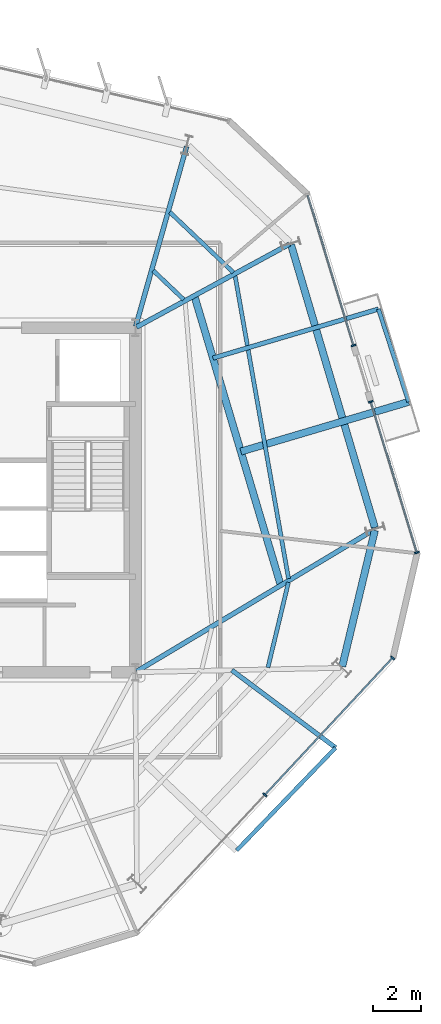
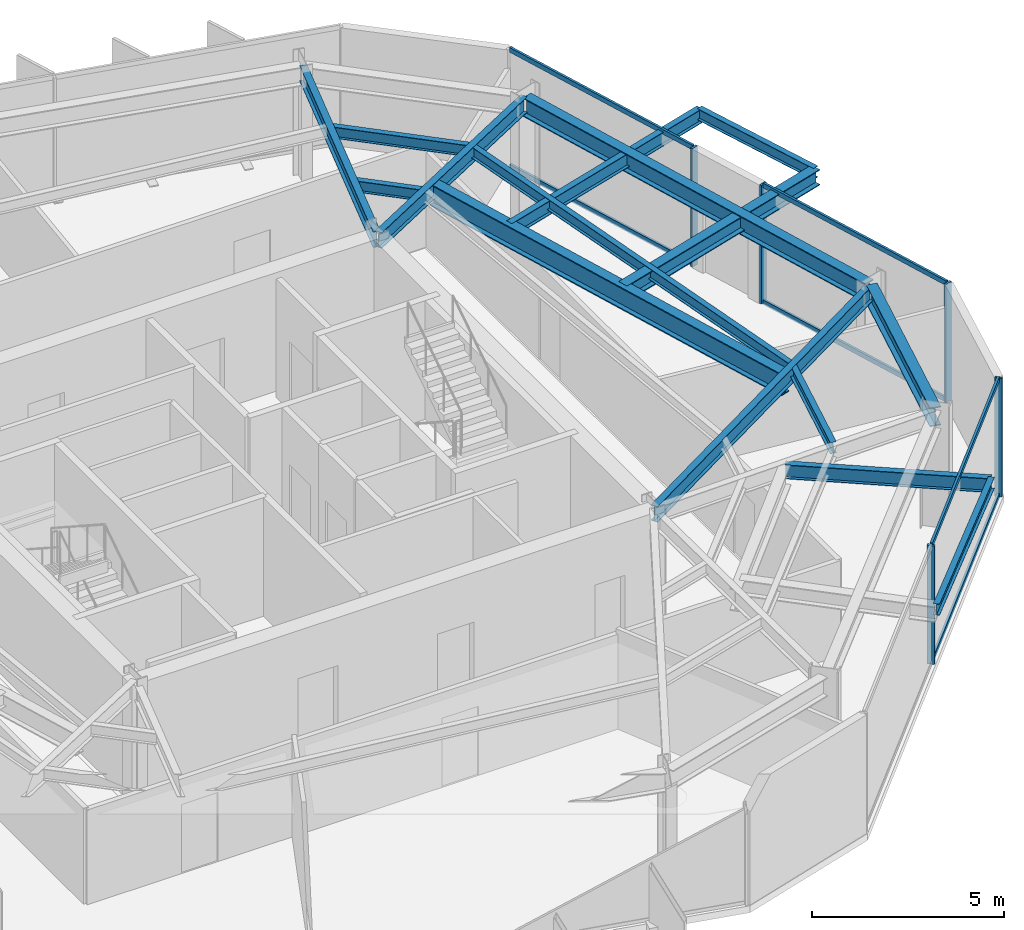
# One storey, part 4 of 11: 15 beams, 11 members, 3 elements without a shape of their own.
"""IFC4 building model written with IfcOpenShell, lengths in metres."""

from ifc_helpers import new_model, si_unit, direction, frame, origin, origin_2d, place, context, subcontext, project, spatial, rectangle, i_section, extrude, material, layer, layer_set, material_profile, profile_set, type_object, element, aggregate, save


model = new_model("IFC4")

# Units and contexts
model_context = context("Model", 3, precision=1e-05, world=origin(), true_north=direction((0.0, 1.0)))
body_context = subcontext(model_context, "Body", "Model", "MODEL_VIEW")
ifc_project = project(units=[si_unit("LENGTHUNIT", "METRE"), si_unit("AREAUNIT", "SQUARE_METRE"), si_unit("VOLUMEUNIT", "CUBIC_METRE"), si_unit("PLANEANGLEUNIT", "RADIAN"), si_unit("MASSUNIT", "GRAM", prefix="KILO")], contexts=[model_context])

# Site, building, storey
site_placement = place(None, origin())
site = spatial("IfcSite", under=ifc_project, at=site_placement, CompositionType="ELEMENT")
building_placement = place(site_placement, origin())
building = spatial("IfcBuilding", under=site, at=building_placement, Name="Kranzbogen Civic Tower", CompositionType="ELEMENT")
storey_placement = place(building_placement, frame((0.0, 0.0, 212.800048828125)))
storey = spatial("IfcBuildingStorey", under=building, at=storey_placement, Name="L51", CompositionType="ELEMENT", Elevation=212.800048828125)

# Beams
ifc_material_1 = material(Name="Steel S355", Category="steel")
ifc_material_profile_1 = material_profile(ifc_material_1, i_section(OverallWidth=0.18994140625, OverallDepth=0.449951171875, WebThickness=0.009521484375, FlangeThickness=0.0146484375, at=origin_2d()), Name="IPE 450")
ifc_profile_set_1 = profile_set([ifc_material_profile_1], Name="Steel S355")
beam_type_1 = type_object("IfcBeamType", Name="Braced Terrace Edge Beam IPE 450", PredefinedType="BEAM", material=ifc_profile_set_1)
beam_1_placement = place(storey_placement, frame((36.044921875, 30.930908203125, 3.52490234375), z_axis=(0.958787530176, 0.284124043298, 0.0), x_axis=(-0.284124043298, 0.958787530176, 0.0)))
element("IfcBeam", 1, at=beam_1_placement, inside=storey, type_object=beam_type_1, Name="L52 back-spanned terrace beam L52-TB1-2", PredefinedType="BEAM", context=body_context, shape_type="SweptSolid", body=[
    extrude(i_section(OverallWidth=0.18994140625, OverallDepth=0.449951171875, WebThickness=0.009521484375, FlangeThickness=0.0146484375, at=origin_2d()), origin(), (0.0, 0.0, 1.0), 7.21533203125),
])
beam_2_placement = place(storey_placement, frame((36.833984375, 17.885986328125, 3.494873046875), z_axis=(0.801269559575, -0.598303512357, 0.0), x_axis=(0.598303512357, 0.801269559575, 0.0)))
element("IfcBeam", 2, at=beam_2_placement, inside=storey, type_object=beam_type_1, Name="L52 back-spanned terrace beam L52-ST-2", PredefinedType="BEAM", context=body_context, shape_type="SweptSolid", body=[
    extrude(i_section(OverallWidth=0.18994140625, OverallDepth=0.449951171875, WebThickness=0.009521484375, FlangeThickness=0.0146484375, at=origin_2d()), origin(), (0.0, 0.0, 1.0), 5.415283203125),
])

# Curtain wall, members
ifc_material_2 = material(Name="Pale Anodised Aluminium", Category="aluminium")
ifc_layer = layer(ifc_material_2, 0.219970703125, Name="Pale Anodised Aluminium")
ifc_layer_set = layer_set([ifc_layer], Name="Pale Anodised Aluminium")
curtain_wall_type = type_object("IfcCurtainWallType", Name="Zone 3 Stick Curtain Wall System CW-04", PredefinedType="USERDEFINED", material=ifc_layer_set)
curtain_wall_1_placement = place(storey_placement, origin())
curtain_wall_1 = element("IfcCurtainWall", 3, at=curtain_wall_1_placement, inside=storey, type_object=curtain_wall_type, Name="L51 curtain wall CW-L51-F5", ObjectType="STICK CURTAIN WALL", PredefinedType="USERDEFINED")
ifc_material_profile_2 = material_profile(ifc_material_2, rectangle(XDim=0.070068359375, YDim=0.199951171875, at=origin_2d()), Name="ALU-M 70x200")
ifc_profile_set_2 = profile_set([ifc_material_profile_2], Name="Pale Anodised Aluminium")
member_type_1 = type_object("IfcMemberType", Name="Curtain Wall Mullion ALU-M 70x200", PredefinedType="MULLION", material=ifc_profile_set_2)
member_1_placement = place(storey_placement, frame((38.216552734375, 12.675048828125, 0.0), z_axis=(0.0, 0.0, 1.0), x_axis=(0.682007441156, 0.731345233257, 0.0)))
member_1 = element("IfcMember", 4, at=member_1_placement, type_object=member_type_1, Name="CW-04 mullion 2", PredefinedType="MULLION", context=body_context, shape_type="SweptSolid", body=[
    extrude(rectangle(XDim=0.070068359375, YDim=0.199951171875, at=origin_2d()), origin(), (0.0, 0.0, 1.0), 3.780029296875),
])
member_2_placement = place(storey_placement, frame((43.552490234375, 18.39697265625, 0.0), z_axis=(0.0, 0.0, 1.0), x_axis=(0.682007441156, 0.731345233257, 0.0)))
member_2 = element("IfcMember", 5, at=member_2_placement, type_object=member_type_1, Name="CW-04 mullion 3", PredefinedType="MULLION", context=body_context, shape_type="SweptSolid", body=[
    extrude(rectangle(XDim=0.070068359375, YDim=0.199951171875, at=origin_2d()), origin(), (0.0, 0.0, 1.0), 3.780029296875),
])

curtain_wall_2_placement = place(storey_placement, origin())
curtain_wall_2 = element("IfcCurtainWall", 6, at=curtain_wall_2_placement, inside=storey, type_object=curtain_wall_type, Name="L51 curtain wall CW-L51-F6-S1", ObjectType="STICK CURTAIN WALL", PredefinedType="USERDEFINED")
member_3_placement = place(storey_placement, frame((44.5693359375, 22.8017578125, 0.0), z_axis=(0.0, 0.0, 1.0), x_axis=(-0.292321628934, 0.956320064235, 0.0)))
member_3 = element("IfcMember", 7, at=member_3_placement, type_object=member_type_1, Name="CW-04 mullion 1", PredefinedType="MULLION", context=body_context, shape_type="SweptSolid", body=[
    extrude(rectangle(XDim=0.070068359375, YDim=0.199951171875, at=origin_2d()), origin(), (0.0, 0.0, 1.0), 3.780029296875),
])
member_4_placement = place(storey_placement, frame((42.641845703125, 29.107421875, 0.0), z_axis=(0.0, 0.0, 1.0), x_axis=(-0.292321628934, 0.956320064235, 0.0)))
member_4 = element("IfcMember", 8, at=member_4_placement, type_object=member_type_1, Name="CW-04 mullion 2", PredefinedType="MULLION", context=body_context, shape_type="SweptSolid", body=[
    extrude(rectangle(XDim=0.070068359375, YDim=0.199951171875, at=origin_2d()), origin(), (0.0, 0.0, 1.0), 3.780029296875),
])

# Curtain wall, member
curtain_wall_3_placement = place(storey_placement, origin())
curtain_wall_3 = element("IfcCurtainWall", 9, at=curtain_wall_3_placement, inside=storey, type_object=curtain_wall_type, Name="L51 curtain wall CW-L51-F6-S2", ObjectType="STICK CURTAIN WALL", PredefinedType="USERDEFINED")
member_5_placement = place(storey_placement, frame((41.922119140625, 31.459716796875, 0.0), z_axis=(0.0, 0.0, 1.0), x_axis=(-0.292321628934, 0.956320064235, 0.0)))
member_5 = element("IfcMember", 10, at=member_5_placement, type_object=member_type_1, Name="CW-04 mullion 1", PredefinedType="MULLION", context=body_context, shape_type="SweptSolid", body=[
    extrude(rectangle(XDim=0.070068359375, YDim=0.199951171875, at=origin_2d()), origin(), (0.0, 0.0, 1.0), 3.780029296875),
])

# Member
ifc_material_profile_3 = material_profile(ifc_material_2, rectangle(XDim=0.070068359375, YDim=0.14990234375, at=origin_2d()), Name="ALU-T 70x150")
ifc_profile_set_3 = profile_set([ifc_material_profile_3], Name="Pale Anodised Aluminium")
member_type_2 = type_object("IfcMemberType", Name="Curtain Wall Transom ALU-T 70x150", PredefinedType="USERDEFINED", material=ifc_profile_set_3)
member_6_placement = place(storey_placement, frame((38.237060546875, 12.697021484375, 0.030029296875), z_axis=(0.682006713494, 0.731345911829, 0.0), x_axis=(-0.731345911829, 0.682006713494, 0.0)))
member_6 = element("IfcMember", 11, at=member_6_placement, type_object=member_type_2, Name="CW-04 transom 2.1", ObjectType="TRANSOM", PredefinedType="USERDEFINED", context=body_context, shape_type="SweptSolid", body=[
    extrude(rectangle(XDim=0.070068359375, YDim=0.14990234375, at=origin_2d()), origin(), (0.0, 0.0, 1.0), 7.763671875),
])

member_7_placement = place(storey_placement, frame((38.237060546875, 12.697021484375, 3.75), z_axis=(0.682006713494, 0.731345911829, 0.0), x_axis=(-0.731345911829, 0.682006713494, 0.0)))
member_7 = element("IfcMember", 12, at=member_7_placement, type_object=member_type_2, Name="CW-04 transom 2.2", ObjectType="TRANSOM", PredefinedType="USERDEFINED", context=body_context, shape_type="SweptSolid", body=[
    extrude(rectangle(XDim=0.070068359375, YDim=0.14990234375, at=origin_2d()), origin(), (0.0, 0.0, 1.0), 7.763671875),
])

aggregate(curtain_wall_1, [member_1, member_2, member_6, member_7])

member_8_placement = place(storey_placement, frame((44.560546875, 22.830322265625, 0.030029296875), z_axis=(-0.2923182132, 0.956321108327, 0.0), x_axis=(-0.956321108327, -0.2923182132, 0.0)))
member_8 = element("IfcMember", 13, at=member_8_placement, type_object=member_type_2, Name="CW-04 transom 1.1", ObjectType="TRANSOM", PredefinedType="USERDEFINED", context=body_context, shape_type="SweptSolid", body=[
    extrude(rectangle(XDim=0.070068359375, YDim=0.14990234375, at=origin_2d()), origin(), (0.0, 0.0, 1.0), 6.53369140625),
])

member_9_placement = place(storey_placement, frame((44.560546875, 22.830322265625, 3.75), z_axis=(-0.2923182132, 0.956321108327, 0.0), x_axis=(-0.956321108327, -0.2923182132, 0.0)))
member_9 = element("IfcMember", 14, at=member_9_placement, type_object=member_type_2, Name="CW-04 transom 1.2", ObjectType="TRANSOM", PredefinedType="USERDEFINED", context=body_context, shape_type="SweptSolid", body=[
    extrude(rectangle(XDim=0.070068359375, YDim=0.14990234375, at=origin_2d()), origin(), (0.0, 0.0, 1.0), 6.53369140625),
])

aggregate(curtain_wall_2, [member_3, member_4, member_8, member_9])

member_10_placement = place(storey_placement, frame((41.91357421875, 31.48828125, 0.030029296875), z_axis=(-0.292352386185, 0.956310662019, 0.0), x_axis=(-0.956310662019, -0.292352386185, 0.0)))
member_10 = element("IfcMember", 15, at=member_10_placement, type_object=member_type_2, Name="CW-04 transom 1.1", ObjectType="TRANSOM", PredefinedType="USERDEFINED", context=body_context, shape_type="SweptSolid", body=[
    extrude(rectangle(XDim=0.070068359375, YDim=0.14990234375, at=origin_2d()), origin(), (0.0, 0.0, 1.0), 6.53369140625),
])

member_11_placement = place(storey_placement, frame((41.91357421875, 31.48828125, 3.75), z_axis=(-0.292352386185, 0.956310662019, 0.0), x_axis=(-0.956310662019, -0.292352386185, 0.0)))
member_11 = element("IfcMember", 16, at=member_11_placement, type_object=member_type_2, Name="CW-04 transom 1.2", ObjectType="TRANSOM", PredefinedType="USERDEFINED", context=body_context, shape_type="SweptSolid", body=[
    extrude(rectangle(XDim=0.070068359375, YDim=0.14990234375, at=origin_2d()), origin(), (0.0, 0.0, 1.0), 6.53369140625),
])

aggregate(curtain_wall_3, [member_5, member_10, member_11])

# Beams
ifc_material_profile_4 = material_profile(ifc_material_1, i_section(OverallWidth=0.300048828125, OverallDepth=0.5, WebThickness=0.014404296875, FlangeThickness=0.028076171875, at=origin_2d()), Name="HEB 500")
ifc_profile_set_4 = profile_set([ifc_material_profile_4], Name="Steel S355")
beam_type_2 = type_object("IfcBeamType", Name="Perimeter Tube Spandrel Beam HEB 500", PredefinedType="SPANDREL", material=ifc_profile_set_4)
beam_3_placement = place(storey_placement, frame((37.2109375, 27.02392578125, 3.5), z_axis=(0.958815623691, 0.284029223438, 0.0), x_axis=(-0.284029223438, 0.958815623691, 0.0)))
element("IfcBeam", 17, at=beam_3_placement, inside=storey, type_object=beam_type_2, Name="L52 back-spanned terrace beam L52-TB1-1", PredefinedType="SPANDREL", context=body_context, shape_type="SweptSolid", body=[
    extrude(i_section(OverallWidth=0.300048828125, OverallDepth=0.5, WebThickness=0.014404296875, FlangeThickness=0.028076171875, at=origin_2d()), origin(), (0.0, 0.0, 1.0), 7.313232421875),
])
ifc_material_profile_5 = material_profile(ifc_material_1, i_section(OverallWidth=0.300048828125, OverallDepth=0.60009765625, WebThickness=0.015380859375, FlangeThickness=0.030029296875, at=origin_2d()), Name="HEB 600")
ifc_profile_set_5 = profile_set([ifc_material_profile_5], Name="Steel S355")
beam_type_3 = type_object("IfcBeamType", Name="Perimeter Tube Spandrel Beam HEB 600", PredefinedType="SPANDREL", material=ifc_profile_set_5)
beam_4_placement = place(storey_placement, frame((41.447021484375, 18.0419921875, 3.47998046875), z_axis=(0.233554380434, 0.972343741369, 0.0), x_axis=(-0.972343741369, 0.233554380434, 0.0)))
element("IfcBeam", 18, at=beam_4_placement, inside=storey, type_object=beam_type_3, Name="L51 perimeter spandrel beam 05", PredefinedType="SPANDREL", context=body_context, shape_type="SweptSolid", body=[
    extrude(i_section(OverallWidth=0.300048828125, OverallDepth=0.60009765625, WebThickness=0.015380859375, FlangeThickness=0.030029296875, at=origin_2d()), origin(), (0.0, 0.0, 1.0), 5.852783203125),
])
beam_5_placement = place(storey_placement, frame((42.81103515625, 23.84912109375, 3.47998046875), z_axis=(-0.284064048956, 0.958805306666, 0.0), x_axis=(-0.958805306666, -0.284064048956, 0.0)))
element("IfcBeam", 19, at=beam_5_placement, inside=storey, type_object=beam_type_3, Name="L51 perimeter spandrel beam 06", PredefinedType="SPANDREL", context=body_context, shape_type="SweptSolid", body=[
    extrude(i_section(OverallWidth=0.300048828125, OverallDepth=0.60009765625, WebThickness=0.015380859375, FlangeThickness=0.030029296875, at=origin_2d()), origin(), (0.0, 0.0, 1.0), 12.32470703125),
])
ifc_material_profile_6 = material_profile(ifc_material_1, i_section(OverallWidth=0.300048828125, OverallDepth=0.699951171875, WebThickness=0.01708984375, FlangeThickness=0.031982421875, at=origin_2d()), Name="HEB 700")
ifc_profile_set_6 = profile_set([ifc_material_profile_6], Name="Steel S355")
beam_type_4 = type_object("IfcBeamType", Name="Perimeter Tube Spandrel Beam HEB 700", PredefinedType="SPANDREL", material=ifc_profile_set_6)
beam_6_placement = place(storey_placement, frame((38.87890625, 21.431884765625, 3.39990234375), z_axis=(-0.285870808606, 0.95826816747, 0.0), x_axis=(-0.95826816747, -0.285870808606, 0.0)))
element("IfcBeam", 20, at=beam_6_placement, inside=storey, type_object=beam_type_4, Name="L52 balcony back-span header girder L52-TB1", PredefinedType="SPANDREL", context=body_context, shape_type="SweptSolid", body=[
    extrude(i_section(OverallWidth=0.300048828125, OverallDepth=0.699951171875, WebThickness=0.01708984375, FlangeThickness=0.031982421875, at=origin_2d()), origin(), (0.0, 0.0, 1.0), 12.634521484375),
])
ifc_material_profile_7 = material_profile(ifc_material_1, i_section(OverallWidth=0.199951171875, OverallDepth=0.5, WebThickness=0.01025390625, FlangeThickness=0.01611328125, at=origin_2d()), Name="IPE 500")
ifc_profile_set_7 = profile_set([ifc_material_profile_7], Name="Steel S355")
beam_type_5 = type_object("IfcBeamType", Name="Radial Tower Floor Girder IPE 500", PredefinedType="BEAM", material=ifc_profile_set_7)
beam_7_placement = place(storey_placement, frame((42.77587890625, 23.760009765625, 3.530029296875), z_axis=(-0.858458551809, -0.512882944565, 0.0), x_axis=(0.512882944565, -0.858458551809, 0.0)))
element("IfcBeam", 21, at=beam_7_placement, inside=storey, type_object=beam_type_5, Name="L51 radial floor girder 06", PredefinedType="BEAM", context=body_context, shape_type="SweptSolid", body=[
    extrude(i_section(OverallWidth=0.199951171875, OverallDepth=0.5, WebThickness=0.01025390625, FlangeThickness=0.01611328125, at=origin_2d()), origin(), (0.0, 0.0, 1.0), 11.56005859375),
])
beam_8_placement = place(storey_placement, frame((39.239990234375, 35.695068359375, 3.530029296875), z_axis=(-0.878919430102, -0.476970266777, 0.0), x_axis=(0.476970266777, -0.878919430102, 0.0)))
element("IfcBeam", 22, at=beam_8_placement, inside=storey, type_object=beam_type_5, Name="L51 radial floor girder 07", PredefinedType="BEAM", context=body_context, shape_type="SweptSolid", body=[
    extrude(i_section(OverallWidth=0.199951171875, OverallDepth=0.5, WebThickness=0.01025390625, FlangeThickness=0.01611328125, at=origin_2d()), origin(), (0.0, 0.0, 1.0), 7.266845703125),
])
beam_9_placement = place(storey_placement, frame((34.945068359375, 39.777099609375, 3.530029296875), z_axis=(-0.272455078988, -0.962168503919, 0.0), x_axis=(0.962168503919, -0.272455078988, 0.0)))
element("IfcBeam", 23, at=beam_9_placement, inside=storey, type_object=beam_type_5, Name="L51 radial floor girder 08", PredefinedType="BEAM", context=body_context, shape_type="SweptSolid", body=[
    extrude(i_section(OverallWidth=0.199951171875, OverallDepth=0.5, WebThickness=0.01025390625, FlangeThickness=0.01611328125, at=origin_2d()), origin(), (0.0, 0.0, 1.0), 7.814697265625),
])
ifc_material_profile_8 = material_profile(ifc_material_1, i_section(OverallWidth=0.169921875, OverallDepth=0.360107421875, WebThickness=0.008056640625, FlangeThickness=0.0126953125, at=origin_2d()), Name="IPE 360")
ifc_profile_set_8 = profile_set([ifc_material_profile_8], Name="Steel S355")
beam_type_6 = type_object("IfcBeamType", Name="Secondary Composite Floor Joist IPE 360", PredefinedType="JOIST", material=ifc_profile_set_8)
beam_10_placement = place(storey_placement, frame((38.343994140625, 17.99609375, 3.599853515625), z_axis=(0.233534367714, 0.972348548154, 0.0), x_axis=(-0.972348548154, 0.233534367714, 0.0)))
element("IfcBeam", 24, at=beam_10_placement, inside=storey, type_object=beam_type_6, Name="L51 secondary floor joist 1.05", PredefinedType="JOIST", context=body_context, shape_type="SweptSolid", body=[
    extrude(i_section(OverallWidth=0.169921875, OverallDepth=0.360107421875, WebThickness=0.008056640625, FlangeThickness=0.0126953125, at=origin_2d()), origin(), (0.0, 0.0, 1.0), 3.6611328125),
])
beam_11_placement = place(storey_placement, frame((39.2041015625, 21.712890625, 3.599853515625), z_axis=(-0.173805911364, 0.984779927281, 0.0), x_axis=(-0.984779927281, -0.173805911364, 0.0)))
element("IfcBeam", 25, at=beam_11_placement, inside=storey, type_object=beam_type_6, Name="L51 secondary floor joist 1.06", PredefinedType="JOIST", context=body_context, shape_type="SweptSolid", body=[
    extrude(i_section(OverallWidth=0.169921875, OverallDepth=0.360107421875, WebThickness=0.008056640625, FlangeThickness=0.0126953125, at=origin_2d()), origin(), (0.0, 0.0, 1.0), 12.85986328125),
])
beam_12_placement = place(storey_placement, frame((36.89697265625, 34.510009765625, 3.599853515625), z_axis=(-0.725300648604, 0.688432254572, 0.0), x_axis=(-0.688432254572, -0.725300648604, 0.0)))
element("IfcBeam", 26, at=beam_12_placement, inside=storey, type_object=beam_type_6, Name="L51 secondary floor joist 1.07", PredefinedType="JOIST", context=body_context, shape_type="SweptSolid", body=[
    extrude(i_section(OverallWidth=0.169921875, OverallDepth=0.360107421875, WebThickness=0.008056640625, FlangeThickness=0.0126953125, at=origin_2d()), origin(), (0.0, 0.0, 1.0), 3.661865234375),
])
beam_13_placement = place(storey_placement, frame((34.820068359375, 33.383056640625, 3.599853515625), z_axis=(-0.725479767774, 0.688243493649, 0.0), x_axis=(-0.688243493649, -0.725479767774, 0.0)))
element("IfcBeam", 27, at=beam_13_placement, inside=storey, type_object=beam_type_6, Name="L51 secondary floor joist 2.07", PredefinedType="JOIST", context=body_context, shape_type="SweptSolid", body=[
    extrude(i_section(OverallWidth=0.169921875, OverallDepth=0.360107421875, WebThickness=0.008056640625, FlangeThickness=0.0126953125, at=origin_2d()), origin(), (0.0, 0.0, 1.0), 1.75048828125),
])
beam_14_placement = place(storey_placement, frame((44.222900390625, 29.10107421875, 3.570068359375), z_axis=(-0.308874956283, 0.951102655543, 0.0), x_axis=(-0.951102655543, -0.308874956283, 0.0)))
element("IfcBeam", 28, at=beam_14_placement, inside=storey, type_object=beam_type_6, Name="L52 terrace outer edge trimmer L52-TB1", PredefinedType="JOIST", context=body_context, shape_type="SweptSolid", body=[
    extrude(i_section(OverallWidth=0.169921875, OverallDepth=0.360107421875, WebThickness=0.008056640625, FlangeThickness=0.0126953125, at=origin_2d()), origin(), (0.0, 0.0, 1.0), 4.079345703125),
])
beam_15_placement = place(storey_placement, frame((37.0380859375, 10.35400390625, 3.5400390625), z_axis=(0.693814067559, 0.720154177699, 0.0), x_axis=(-0.720154177699, 0.693814067559, 0.0)))
element("IfcBeam", 29, at=beam_15_placement, inside=storey, type_object=beam_type_6, Name="L52 terrace outer edge trimmer L52-ST", PredefinedType="JOIST", context=body_context, shape_type="SweptSolid", body=[
    extrude(i_section(OverallWidth=0.169921875, OverallDepth=0.360107421875, WebThickness=0.008056640625, FlangeThickness=0.0126953125, at=origin_2d()), origin(), (0.0, 0.0, 1.0), 5.959716796875),
])

save(model, "model.ifc")
